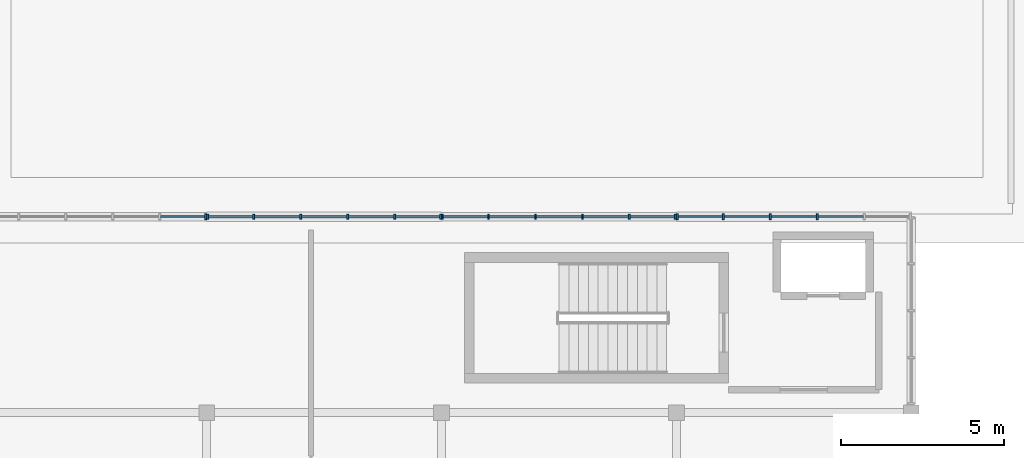
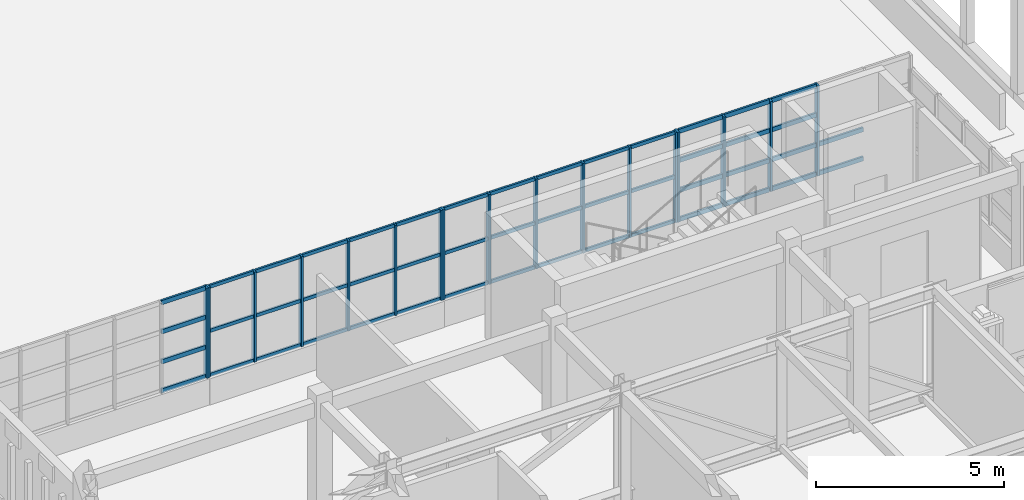
# One storey, part 15 of 79: 65 members, 4 elements without a shape of their own.
"""IFC4 building model written with IfcOpenShell, lengths in metres."""

from ifc_helpers import new_model, si_unit, direction, frame, origin, origin_2d, place, context, subcontext, project, spatial, rectangle, extrude, material, material_profile, profile_set, type_object, element, aggregate, save


model = new_model("IFC4")

# Units and contexts
model_context = context("Model", 3, precision=1e-05, world=origin(), true_north=direction((0.0, 1.0)))
body_context = subcontext(model_context, "Body", "Model", "MODEL_VIEW")
ifc_project = project(units=[si_unit("LENGTHUNIT", "METRE"), si_unit("AREAUNIT", "SQUARE_METRE"), si_unit("VOLUMEUNIT", "CUBIC_METRE"), si_unit("PLANEANGLEUNIT", "RADIAN"), si_unit("MASSUNIT", "GRAM", prefix="KILO")], contexts=[model_context])

# Site, building, storey
site_placement = place(None, origin())
site = spatial("IfcSite", under=ifc_project, at=site_placement, CompositionType="ELEMENT")
building_placement = place(site_placement, origin())
building = spatial("IfcBuilding", under=site, at=building_placement, Name="Nzembalo Square Collegiate School", CompositionType="ELEMENT")
storey_placement = place(building_placement, frame((0.0, 0.0, 9.52001953125)))
storey = spatial("IfcBuildingStorey", under=building, at=storey_placement, Name="L02", CompositionType="ELEMENT", Elevation=9.52001953125)

# Curtain wall, member
ifc_material_1 = material(Name="Aluminium 6060-T66", Category="aluminium")
curtain_wall_type_1 = type_object("IfcCurtainWallType", Name="CW-10", PredefinedType="USERDEFINED", material=ifc_material_1)
curtain_wall_1_placement = place(storey_placement, origin())
curtain_wall_1 = element("IfcCurtainWall", 1, at=curtain_wall_1_placement, inside=storey, type_object=curtain_wall_type_1, Name="Curtain wall CW-10 cw:L02:105", ObjectType="UNITISED", PredefinedType="USERDEFINED")
ifc_material_2 = material(Name="Aluminium 6060-T66", Category="aluminium")
ifc_material_profile_1 = material_profile(ifc_material_2, rectangle(XDim=0.06005859375, YDim=0.179931640625, at=origin_2d()), Name="ALU M60x180")
ifc_profile_set_1 = profile_set([ifc_material_profile_1], Name="Aluminium 6060-T66")
member_type_1 = type_object("IfcMemberType", Name="ML01", PredefinedType="MULLION", material=ifc_profile_set_1)
member_1_placement = place(storey_placement, frame((15.570068359375, 88.800048828125, 0.85009765625), z_axis=(0.0, 0.0, 1.0), x_axis=(1.0, 0.0, 0.0)))
member_1 = element("IfcMember", 2, at=member_1_placement, type_object=member_type_1, Name="ML01 mullion 6", PredefinedType="MULLION", context=body_context, shape_type="SweptSolid", body=[
    extrude(rectangle(XDim=0.06005859375, YDim=0.179931640625, at=origin_2d()), origin(), (0.0, 0.0, 1.0), 2.923828125),
])

# Curtain wall, members
ifc_material_3 = material(Name="Aluminium 6060-T66", Category="aluminium")
curtain_wall_type_2 = type_object("IfcCurtainWallType", Name="CW-09", PredefinedType="USERDEFINED", material=ifc_material_3)
curtain_wall_2_placement = place(storey_placement, origin())
curtain_wall_2 = element("IfcCurtainWall", 3, at=curtain_wall_2_placement, inside=storey, type_object=curtain_wall_type_2, Name="Curtain wall CW-09 cw:L02:108", ObjectType="UNITISED", PredefinedType="USERDEFINED")
member_2_placement = place(storey_placement, frame((30.030029296875, 88.800048828125, 0.85009765625), z_axis=(0.0, 0.0, 1.0), x_axis=(1.0, 0.0, 0.0)))
member_2 = element("IfcMember", 4, at=member_2_placement, type_object=member_type_1, Name="ML01 mullion 1", PredefinedType="MULLION", context=body_context, shape_type="SweptSolid", body=[
    extrude(rectangle(XDim=0.06005859375, YDim=0.179931640625, at=origin_2d()), origin(), (0.0, 0.0, 1.0), 2.923828125),
])
member_3_placement = place(storey_placement, frame((31.43994140625, 88.800048828125, 0.85009765625), z_axis=(0.0, 0.0, 1.0), x_axis=(1.0, 0.0, 0.0)))
member_3 = element("IfcMember", 5, at=member_3_placement, type_object=member_type_1, Name="ML01 mullion 2", PredefinedType="MULLION", context=body_context, shape_type="SweptSolid", body=[
    extrude(rectangle(XDim=0.06005859375, YDim=0.179931640625, at=origin_2d()), origin(), (0.0, 0.0, 1.0), 2.923828125),
])
member_4_placement = place(storey_placement, frame((32.8798828125, 88.800048828125, 0.85009765625), z_axis=(0.0, 0.0, 1.0), x_axis=(1.0, 0.0, 0.0)))
member_4 = element("IfcMember", 6, at=member_4_placement, type_object=member_type_1, Name="ML01 mullion 3", PredefinedType="MULLION", context=body_context, shape_type="SweptSolid", body=[
    extrude(rectangle(XDim=0.06005859375, YDim=0.179931640625, at=origin_2d()), origin(), (0.0, 0.0, 1.0), 2.923828125),
])
member_5_placement = place(storey_placement, frame((34.320068359375, 88.800048828125, 0.85009765625), z_axis=(0.0, 0.0, 1.0), x_axis=(1.0, 0.0, 0.0)))
member_5 = element("IfcMember", 7, at=member_5_placement, type_object=member_type_1, Name="ML01 mullion 4", PredefinedType="MULLION", context=body_context, shape_type="SweptSolid", body=[
    extrude(rectangle(XDim=0.06005859375, YDim=0.179931640625, at=origin_2d()), origin(), (0.0, 0.0, 1.0), 2.923828125),
])

ifc_material_4 = material(Name="Aluminium 6060-T66", Category="aluminium")
curtain_wall_type_3 = type_object("IfcCurtainWallType", Name="CW-11", PredefinedType="USERDEFINED", material=ifc_material_4)
curtain_wall_3_placement = place(storey_placement, origin())
curtain_wall_3 = element("IfcCurtainWall", 8, at=curtain_wall_3_placement, inside=storey, type_object=curtain_wall_type_3, Name="Curtain wall CW-11 cw:L02:106", ObjectType="LANCET", PredefinedType="USERDEFINED")
ifc_material_5 = material(Name="Aluminium 6060-T66", Category="aluminium")
ifc_material_profile_2 = material_profile(ifc_material_5, rectangle(XDim=0.06005859375, YDim=0.14990234375, at=origin_2d()), Name="ALU M60x150")
ifc_profile_set_2 = profile_set([ifc_material_profile_2], Name="Aluminium 6060-T66")
member_type_2 = type_object("IfcMemberType", Name="ML02", PredefinedType="MULLION", material=ifc_profile_set_2)
member_6_placement = place(storey_placement, frame((15.6298828125, 88.800048828125, 0.85009765625), z_axis=(0.0, 0.0, 1.0), x_axis=(1.0, 0.0, 0.0)))
member_6 = element("IfcMember", 9, at=member_6_placement, type_object=member_type_2, Name="ML02 mullion 1", PredefinedType="MULLION", context=body_context, shape_type="SweptSolid", body=[
    extrude(rectangle(XDim=0.06005859375, YDim=0.14990234375, at=origin_2d()), origin(), (0.0, 0.0, 1.0), 2.923828125),
])
member_7_placement = place(storey_placement, frame((17.0400390625, 88.800048828125, 0.85009765625), z_axis=(0.0, 0.0, 1.0), x_axis=(1.0, 0.0, 0.0)))
member_7 = element("IfcMember", 10, at=member_7_placement, type_object=member_type_2, Name="ML02 mullion 2", PredefinedType="MULLION", context=body_context, shape_type="SweptSolid", body=[
    extrude(rectangle(XDim=0.06005859375, YDim=0.14990234375, at=origin_2d()), origin(), (0.0, 0.0, 1.0), 2.923828125),
])
member_8_placement = place(storey_placement, frame((18.47998046875, 88.800048828125, 0.85009765625), z_axis=(0.0, 0.0, 1.0), x_axis=(1.0, 0.0, 0.0)))
member_8 = element("IfcMember", 11, at=member_8_placement, type_object=member_type_2, Name="ML02 mullion 3", PredefinedType="MULLION", context=body_context, shape_type="SweptSolid", body=[
    extrude(rectangle(XDim=0.06005859375, YDim=0.14990234375, at=origin_2d()), origin(), (0.0, 0.0, 1.0), 2.923828125),
])
member_9_placement = place(storey_placement, frame((19.919921875, 88.800048828125, 0.85009765625), z_axis=(0.0, 0.0, 1.0), x_axis=(1.0, 0.0, 0.0)))
member_9 = element("IfcMember", 12, at=member_9_placement, type_object=member_type_2, Name="ML02 mullion 4", PredefinedType="MULLION", context=body_context, shape_type="SweptSolid", body=[
    extrude(rectangle(XDim=0.06005859375, YDim=0.14990234375, at=origin_2d()), origin(), (0.0, 0.0, 1.0), 2.923828125),
])
member_10_placement = place(storey_placement, frame((21.360107421875, 88.800048828125, 0.85009765625), z_axis=(0.0, 0.0, 1.0), x_axis=(1.0, 0.0, 0.0)))
member_10 = element("IfcMember", 13, at=member_10_placement, type_object=member_type_2, Name="ML02 mullion 5", PredefinedType="MULLION", context=body_context, shape_type="SweptSolid", body=[
    extrude(rectangle(XDim=0.06005859375, YDim=0.14990234375, at=origin_2d()), origin(), (0.0, 0.0, 1.0), 2.923828125),
])
member_11_placement = place(storey_placement, frame((22.77001953125, 88.800048828125, 0.85009765625), z_axis=(0.0, 0.0, 1.0), x_axis=(1.0, 0.0, 0.0)))
member_11 = element("IfcMember", 14, at=member_11_placement, type_object=member_type_2, Name="ML02 mullion 6", PredefinedType="MULLION", context=body_context, shape_type="SweptSolid", body=[
    extrude(rectangle(XDim=0.06005859375, YDim=0.14990234375, at=origin_2d()), origin(), (0.0, 0.0, 1.0), 2.923828125),
])

ifc_material_6 = material(Name="Aluminium 6060-T66", Category="aluminium")
curtain_wall_type_4 = type_object("IfcCurtainWallType", Name="CW-12", PredefinedType="USERDEFINED", material=ifc_material_6)
curtain_wall_4_placement = place(storey_placement, origin())
curtain_wall_4 = element("IfcCurtainWall", 15, at=curtain_wall_4_placement, inside=storey, type_object=curtain_wall_type_4, Name="Curtain wall CW-12 cw:L02:107", ObjectType="LANCET", PredefinedType="USERDEFINED")
member_12_placement = place(storey_placement, frame((22.830078125, 88.800048828125, 0.85009765625), z_axis=(0.0, 0.0, 1.0), x_axis=(1.0, 0.0, 0.0)))
member_12 = element("IfcMember", 16, at=member_12_placement, type_object=member_type_2, Name="ML02 mullion 1", PredefinedType="MULLION", context=body_context, shape_type="SweptSolid", body=[
    extrude(rectangle(XDim=0.06005859375, YDim=0.14990234375, at=origin_2d()), origin(), (0.0, 0.0, 1.0), 2.923828125),
])
member_13_placement = place(storey_placement, frame((24.239990234375, 88.800048828125, 0.85009765625), z_axis=(0.0, 0.0, 1.0), x_axis=(1.0, 0.0, 0.0)))
member_13 = element("IfcMember", 17, at=member_13_placement, type_object=member_type_2, Name="ML02 mullion 2", PredefinedType="MULLION", context=body_context, shape_type="SweptSolid", body=[
    extrude(rectangle(XDim=0.06005859375, YDim=0.14990234375, at=origin_2d()), origin(), (0.0, 0.0, 1.0), 2.923828125),
])
member_14_placement = place(storey_placement, frame((25.679931640625, 88.800048828125, 0.85009765625), z_axis=(0.0, 0.0, 1.0), x_axis=(1.0, 0.0, 0.0)))
member_14 = element("IfcMember", 18, at=member_14_placement, type_object=member_type_2, Name="ML02 mullion 3", PredefinedType="MULLION", context=body_context, shape_type="SweptSolid", body=[
    extrude(rectangle(XDim=0.06005859375, YDim=0.14990234375, at=origin_2d()), origin(), (0.0, 0.0, 1.0), 2.923828125),
])
member_15_placement = place(storey_placement, frame((27.1201171875, 88.800048828125, 0.85009765625), z_axis=(0.0, 0.0, 1.0), x_axis=(1.0, 0.0, 0.0)))
member_15 = element("IfcMember", 19, at=member_15_placement, type_object=member_type_2, Name="ML02 mullion 4", PredefinedType="MULLION", context=body_context, shape_type="SweptSolid", body=[
    extrude(rectangle(XDim=0.06005859375, YDim=0.14990234375, at=origin_2d()), origin(), (0.0, 0.0, 1.0), 2.923828125),
])
member_16_placement = place(storey_placement, frame((28.56005859375, 88.800048828125, 0.85009765625), z_axis=(0.0, 0.0, 1.0), x_axis=(1.0, 0.0, 0.0)))
member_16 = element("IfcMember", 20, at=member_16_placement, type_object=member_type_2, Name="ML02 mullion 5", PredefinedType="MULLION", context=body_context, shape_type="SweptSolid", body=[
    extrude(rectangle(XDim=0.06005859375, YDim=0.14990234375, at=origin_2d()), origin(), (0.0, 0.0, 1.0), 2.923828125),
])
member_17_placement = place(storey_placement, frame((29.969970703125, 88.800048828125, 0.85009765625), z_axis=(0.0, 0.0, 1.0), x_axis=(1.0, 0.0, 0.0)))
member_17 = element("IfcMember", 21, at=member_17_placement, type_object=member_type_2, Name="ML02 mullion 6", PredefinedType="MULLION", context=body_context, shape_type="SweptSolid", body=[
    extrude(rectangle(XDim=0.06005859375, YDim=0.14990234375, at=origin_2d()), origin(), (0.0, 0.0, 1.0), 2.923828125),
])

# Member
ifc_material_7 = material(Name="Aluminium 6060-T66", Category="aluminium")
ifc_material_profile_3 = material_profile(ifc_material_7, rectangle(XDim=0.06005859375, YDim=0.139892578125, at=origin_2d()), Name="ALU T60x140")
ifc_profile_set_3 = profile_set([ifc_material_profile_3], Name="Aluminium 6060-T66")
member_type_3 = type_object("IfcMemberType", Name="TR01", PredefinedType="USERDEFINED", material=ifc_profile_set_3)
member_18_placement = place(storey_placement, frame((14.18994140625, 88.800048828125, 0.8798828125), z_axis=(1.0, 0.0, 0.0), x_axis=(0.0, 1.0, 0.0)))
member_18 = element("IfcMember", 22, at=member_18_placement, type_object=member_type_3, Name="TR01 transom 1-5", ObjectType="TRANSOM", PredefinedType="USERDEFINED", context=body_context, shape_type="SweptSolid", body=[
    extrude(rectangle(XDim=0.06005859375, YDim=0.139892578125, at=origin_2d()), origin(), (0.0, 0.0, 1.0), 1.35009765625),
])

member_19_placement = place(storey_placement, frame((14.18994140625, 88.800048828125, 1.82470703125), z_axis=(1.0, 0.0, 0.0), x_axis=(0.0, 1.0, 0.0)))
member_19 = element("IfcMember", 23, at=member_19_placement, type_object=member_type_3, Name="TR01 transom 2-5", ObjectType="TRANSOM", PredefinedType="USERDEFINED", context=body_context, shape_type="SweptSolid", body=[
    extrude(rectangle(XDim=0.06005859375, YDim=0.139892578125, at=origin_2d()), origin(), (0.0, 0.0, 1.0), 1.35009765625),
])

member_20_placement = place(storey_placement, frame((14.18994140625, 88.800048828125, 2.79931640625), z_axis=(1.0, 0.0, 0.0), x_axis=(0.0, 1.0, 0.0)))
member_20 = element("IfcMember", 24, at=member_20_placement, type_object=member_type_3, Name="TR01 transom 3-5", ObjectType="TRANSOM", PredefinedType="USERDEFINED", context=body_context, shape_type="SweptSolid", body=[
    extrude(rectangle(XDim=0.06005859375, YDim=0.139892578125, at=origin_2d()), origin(), (0.0, 0.0, 1.0), 1.35009765625),
])

member_21_placement = place(storey_placement, frame((14.18994140625, 88.800048828125, 3.743896484375), z_axis=(1.0, 0.0, 0.0), x_axis=(0.0, 1.0, 0.0)))
member_21 = element("IfcMember", 25, at=member_21_placement, type_object=member_type_3, Name="TR01 transom 4-5", ObjectType="TRANSOM", PredefinedType="USERDEFINED", context=body_context, shape_type="SweptSolid", body=[
    extrude(rectangle(XDim=0.06005859375, YDim=0.139892578125, at=origin_2d()), origin(), (0.0, 0.0, 1.0), 1.35009765625),
])

aggregate(curtain_wall_1, [member_1, member_18, member_19, member_20, member_21])

member_22_placement = place(storey_placement, frame((30.06005859375, 88.800048828125, 0.8798828125), z_axis=(1.0, 0.0, 0.0), x_axis=(0.0, 1.0, 0.0)))
member_22 = element("IfcMember", 26, at=member_22_placement, type_object=member_type_3, Name="TR01 transom 1-1", ObjectType="TRANSOM", PredefinedType="USERDEFINED", context=body_context, shape_type="SweptSolid", body=[
    extrude(rectangle(XDim=0.06005859375, YDim=0.139892578125, at=origin_2d()), origin(), (0.0, 0.0, 1.0), 1.349853515625),
])

member_23_placement = place(storey_placement, frame((31.469970703125, 88.800048828125, 0.8798828125), z_axis=(1.0, 0.0, 0.0), x_axis=(0.0, 1.0, 0.0)))
member_23 = element("IfcMember", 27, at=member_23_placement, type_object=member_type_3, Name="TR01 transom 1-2", ObjectType="TRANSOM", PredefinedType="USERDEFINED", context=body_context, shape_type="SweptSolid", body=[
    extrude(rectangle(XDim=0.06005859375, YDim=0.139892578125, at=origin_2d()), origin(), (0.0, 0.0, 1.0), 1.380126953125),
])

member_24_placement = place(storey_placement, frame((32.909912109375, 88.800048828125, 0.8798828125), z_axis=(1.0, 0.0, 0.0), x_axis=(0.0, 1.0, 0.0)))
member_24 = element("IfcMember", 28, at=member_24_placement, type_object=member_type_3, Name="TR01 transom 1-3", ObjectType="TRANSOM", PredefinedType="USERDEFINED", context=body_context, shape_type="SweptSolid", body=[
    extrude(rectangle(XDim=0.06005859375, YDim=0.139892578125, at=origin_2d()), origin(), (0.0, 0.0, 1.0), 1.380126953125),
])

member_25_placement = place(storey_placement, frame((34.35009765625, 88.800048828125, 0.8798828125), z_axis=(1.0, 0.0, 0.0), x_axis=(0.0, 1.0, 0.0)))
member_25 = element("IfcMember", 29, at=member_25_placement, type_object=member_type_3, Name="TR01 transom 1-4", ObjectType="TRANSOM", PredefinedType="USERDEFINED", context=body_context, shape_type="SweptSolid", body=[
    extrude(rectangle(XDim=0.06005859375, YDim=0.139892578125, at=origin_2d()), origin(), (0.0, 0.0, 1.0), 1.3798828125),
])

member_26_placement = place(storey_placement, frame((30.06005859375, 88.800048828125, 1.82470703125), z_axis=(1.0, 0.0, 0.0), x_axis=(0.0, 1.0, 0.0)))
member_26 = element("IfcMember", 30, at=member_26_placement, type_object=member_type_3, Name="TR01 transom 2-1", ObjectType="TRANSOM", PredefinedType="USERDEFINED", context=body_context, shape_type="SweptSolid", body=[
    extrude(rectangle(XDim=0.06005859375, YDim=0.139892578125, at=origin_2d()), origin(), (0.0, 0.0, 1.0), 1.349853515625),
])

member_27_placement = place(storey_placement, frame((31.469970703125, 88.800048828125, 1.82470703125), z_axis=(1.0, 0.0, 0.0), x_axis=(0.0, 1.0, 0.0)))
member_27 = element("IfcMember", 31, at=member_27_placement, type_object=member_type_3, Name="TR01 transom 2-2", ObjectType="TRANSOM", PredefinedType="USERDEFINED", context=body_context, shape_type="SweptSolid", body=[
    extrude(rectangle(XDim=0.06005859375, YDim=0.139892578125, at=origin_2d()), origin(), (0.0, 0.0, 1.0), 1.380126953125),
])

member_28_placement = place(storey_placement, frame((32.909912109375, 88.800048828125, 1.82470703125), z_axis=(1.0, 0.0, 0.0), x_axis=(0.0, 1.0, 0.0)))
member_28 = element("IfcMember", 32, at=member_28_placement, type_object=member_type_3, Name="TR01 transom 2-3", ObjectType="TRANSOM", PredefinedType="USERDEFINED", context=body_context, shape_type="SweptSolid", body=[
    extrude(rectangle(XDim=0.06005859375, YDim=0.139892578125, at=origin_2d()), origin(), (0.0, 0.0, 1.0), 1.380126953125),
])

member_29_placement = place(storey_placement, frame((34.35009765625, 88.800048828125, 1.82470703125), z_axis=(1.0, 0.0, 0.0), x_axis=(0.0, 1.0, 0.0)))
member_29 = element("IfcMember", 33, at=member_29_placement, type_object=member_type_3, Name="TR01 transom 2-4", ObjectType="TRANSOM", PredefinedType="USERDEFINED", context=body_context, shape_type="SweptSolid", body=[
    extrude(rectangle(XDim=0.06005859375, YDim=0.139892578125, at=origin_2d()), origin(), (0.0, 0.0, 1.0), 1.3798828125),
])

member_30_placement = place(storey_placement, frame((30.06005859375, 88.800048828125, 2.79931640625), z_axis=(1.0, 0.0, 0.0), x_axis=(0.0, 1.0, 0.0)))
member_30 = element("IfcMember", 34, at=member_30_placement, type_object=member_type_3, Name="TR01 transom 3-1", ObjectType="TRANSOM", PredefinedType="USERDEFINED", context=body_context, shape_type="SweptSolid", body=[
    extrude(rectangle(XDim=0.06005859375, YDim=0.139892578125, at=origin_2d()), origin(), (0.0, 0.0, 1.0), 1.349853515625),
])

member_31_placement = place(storey_placement, frame((31.469970703125, 88.800048828125, 2.79931640625), z_axis=(1.0, 0.0, 0.0), x_axis=(0.0, 1.0, 0.0)))
member_31 = element("IfcMember", 35, at=member_31_placement, type_object=member_type_3, Name="TR01 transom 3-2", ObjectType="TRANSOM", PredefinedType="USERDEFINED", context=body_context, shape_type="SweptSolid", body=[
    extrude(rectangle(XDim=0.06005859375, YDim=0.139892578125, at=origin_2d()), origin(), (0.0, 0.0, 1.0), 1.380126953125),
])

member_32_placement = place(storey_placement, frame((32.909912109375, 88.800048828125, 2.79931640625), z_axis=(1.0, 0.0, 0.0), x_axis=(0.0, 1.0, 0.0)))
member_32 = element("IfcMember", 36, at=member_32_placement, type_object=member_type_3, Name="TR01 transom 3-3", ObjectType="TRANSOM", PredefinedType="USERDEFINED", context=body_context, shape_type="SweptSolid", body=[
    extrude(rectangle(XDim=0.06005859375, YDim=0.139892578125, at=origin_2d()), origin(), (0.0, 0.0, 1.0), 1.380126953125),
])

member_33_placement = place(storey_placement, frame((30.06005859375, 88.800048828125, 3.743896484375), z_axis=(1.0, 0.0, 0.0), x_axis=(0.0, 1.0, 0.0)))
member_33 = element("IfcMember", 37, at=member_33_placement, type_object=member_type_3, Name="TR01 transom 4-1", ObjectType="TRANSOM", PredefinedType="USERDEFINED", context=body_context, shape_type="SweptSolid", body=[
    extrude(rectangle(XDim=0.06005859375, YDim=0.139892578125, at=origin_2d()), origin(), (0.0, 0.0, 1.0), 1.349853515625),
])

member_34_placement = place(storey_placement, frame((31.469970703125, 88.800048828125, 3.743896484375), z_axis=(1.0, 0.0, 0.0), x_axis=(0.0, 1.0, 0.0)))
member_34 = element("IfcMember", 38, at=member_34_placement, type_object=member_type_3, Name="TR01 transom 4-2", ObjectType="TRANSOM", PredefinedType="USERDEFINED", context=body_context, shape_type="SweptSolid", body=[
    extrude(rectangle(XDim=0.06005859375, YDim=0.139892578125, at=origin_2d()), origin(), (0.0, 0.0, 1.0), 1.380126953125),
])

member_35_placement = place(storey_placement, frame((32.909912109375, 88.800048828125, 3.743896484375), z_axis=(1.0, 0.0, 0.0), x_axis=(0.0, 1.0, 0.0)))
member_35 = element("IfcMember", 39, at=member_35_placement, type_object=member_type_3, Name="TR01 transom 4-3", ObjectType="TRANSOM", PredefinedType="USERDEFINED", context=body_context, shape_type="SweptSolid", body=[
    extrude(rectangle(XDim=0.06005859375, YDim=0.139892578125, at=origin_2d()), origin(), (0.0, 0.0, 1.0), 1.380126953125),
])

aggregate(curtain_wall_2, [member_2, member_3, member_4, member_5, member_22, member_23, member_24, member_25, member_26, member_27, member_28, member_29, member_30, member_31, member_32, member_33, member_34, member_35])

ifc_material_8 = material(Name="Aluminium 6060-T66", Category="aluminium")
ifc_material_profile_4 = material_profile(ifc_material_8, rectangle(XDim=0.06005859375, YDim=0.110107421875, at=origin_2d()), Name="ALU T60x110")
ifc_profile_set_4 = profile_set([ifc_material_profile_4], Name="Aluminium 6060-T66")
member_type_4 = type_object("IfcMemberType", Name="TR02", PredefinedType="USERDEFINED", material=ifc_profile_set_4)
member_36_placement = place(storey_placement, frame((15.659912109375, 88.800048828125, 0.8798828125), z_axis=(1.0, 0.0, 0.0), x_axis=(0.0, 1.0, 0.0)))
member_36 = element("IfcMember", 40, at=member_36_placement, type_object=member_type_4, Name="TR02 transom 1-1", ObjectType="TRANSOM", PredefinedType="USERDEFINED", context=body_context, shape_type="SweptSolid", body=[
    extrude(rectangle(XDim=0.06005859375, YDim=0.110107421875, at=origin_2d()), origin(), (0.0, 0.0, 1.0), 1.35009765625),
])

member_37_placement = place(storey_placement, frame((17.070068359375, 88.800048828125, 0.8798828125), z_axis=(1.0, 0.0, 0.0), x_axis=(0.0, 1.0, 0.0)))
member_37 = element("IfcMember", 41, at=member_37_placement, type_object=member_type_4, Name="TR02 transom 1-2", ObjectType="TRANSOM", PredefinedType="USERDEFINED", context=body_context, shape_type="SweptSolid", body=[
    extrude(rectangle(XDim=0.06005859375, YDim=0.110107421875, at=origin_2d()), origin(), (0.0, 0.0, 1.0), 1.3798828125),
])

member_38_placement = place(storey_placement, frame((18.510009765625, 88.800048828125, 0.8798828125), z_axis=(1.0, 0.0, 0.0), x_axis=(0.0, 1.0, 0.0)))
member_38 = element("IfcMember", 42, at=member_38_placement, type_object=member_type_4, Name="TR02 transom 1-3", ObjectType="TRANSOM", PredefinedType="USERDEFINED", context=body_context, shape_type="SweptSolid", body=[
    extrude(rectangle(XDim=0.06005859375, YDim=0.110107421875, at=origin_2d()), origin(), (0.0, 0.0, 1.0), 1.3798828125),
])

member_39_placement = place(storey_placement, frame((19.949951171875, 88.800048828125, 0.8798828125), z_axis=(1.0, 0.0, 0.0), x_axis=(0.0, 1.0, 0.0)))
member_39 = element("IfcMember", 43, at=member_39_placement, type_object=member_type_4, Name="TR02 transom 1-4", ObjectType="TRANSOM", PredefinedType="USERDEFINED", context=body_context, shape_type="SweptSolid", body=[
    extrude(rectangle(XDim=0.06005859375, YDim=0.110107421875, at=origin_2d()), origin(), (0.0, 0.0, 1.0), 1.380126953125),
])

member_40_placement = place(storey_placement, frame((21.389892578125, 88.800048828125, 0.8798828125), z_axis=(1.0, 0.0, 0.0), x_axis=(0.0, 1.0, 0.0)))
member_40 = element("IfcMember", 44, at=member_40_placement, type_object=member_type_4, Name="TR02 transom 1-5", ObjectType="TRANSOM", PredefinedType="USERDEFINED", context=body_context, shape_type="SweptSolid", body=[
    extrude(rectangle(XDim=0.06005859375, YDim=0.110107421875, at=origin_2d()), origin(), (0.0, 0.0, 1.0), 1.35009765625),
])

member_41_placement = place(storey_placement, frame((15.659912109375, 88.800048828125, 2.31201171875), z_axis=(1.0, 0.0, 0.0), x_axis=(0.0, 1.0, 0.0)))
member_41 = element("IfcMember", 45, at=member_41_placement, type_object=member_type_4, Name="TR02 transom 2-1", ObjectType="TRANSOM", PredefinedType="USERDEFINED", context=body_context, shape_type="SweptSolid", body=[
    extrude(rectangle(XDim=0.06005859375, YDim=0.110107421875, at=origin_2d()), origin(), (0.0, 0.0, 1.0), 1.35009765625),
])

member_42_placement = place(storey_placement, frame((17.070068359375, 88.800048828125, 2.31201171875), z_axis=(1.0, 0.0, 0.0), x_axis=(0.0, 1.0, 0.0)))
member_42 = element("IfcMember", 46, at=member_42_placement, type_object=member_type_4, Name="TR02 transom 2-2", ObjectType="TRANSOM", PredefinedType="USERDEFINED", context=body_context, shape_type="SweptSolid", body=[
    extrude(rectangle(XDim=0.06005859375, YDim=0.110107421875, at=origin_2d()), origin(), (0.0, 0.0, 1.0), 1.3798828125),
])

member_43_placement = place(storey_placement, frame((18.510009765625, 88.800048828125, 2.31201171875), z_axis=(1.0, 0.0, 0.0), x_axis=(0.0, 1.0, 0.0)))
member_43 = element("IfcMember", 47, at=member_43_placement, type_object=member_type_4, Name="TR02 transom 2-3", ObjectType="TRANSOM", PredefinedType="USERDEFINED", context=body_context, shape_type="SweptSolid", body=[
    extrude(rectangle(XDim=0.06005859375, YDim=0.110107421875, at=origin_2d()), origin(), (0.0, 0.0, 1.0), 1.3798828125),
])

member_44_placement = place(storey_placement, frame((19.949951171875, 88.800048828125, 2.31201171875), z_axis=(1.0, 0.0, 0.0), x_axis=(0.0, 1.0, 0.0)))
member_44 = element("IfcMember", 48, at=member_44_placement, type_object=member_type_4, Name="TR02 transom 2-4", ObjectType="TRANSOM", PredefinedType="USERDEFINED", context=body_context, shape_type="SweptSolid", body=[
    extrude(rectangle(XDim=0.06005859375, YDim=0.110107421875, at=origin_2d()), origin(), (0.0, 0.0, 1.0), 1.380126953125),
])

member_45_placement = place(storey_placement, frame((21.389892578125, 88.800048828125, 2.31201171875), z_axis=(1.0, 0.0, 0.0), x_axis=(0.0, 1.0, 0.0)))
member_45 = element("IfcMember", 49, at=member_45_placement, type_object=member_type_4, Name="TR02 transom 2-5", ObjectType="TRANSOM", PredefinedType="USERDEFINED", context=body_context, shape_type="SweptSolid", body=[
    extrude(rectangle(XDim=0.06005859375, YDim=0.110107421875, at=origin_2d()), origin(), (0.0, 0.0, 1.0), 1.35009765625),
])

member_46_placement = place(storey_placement, frame((15.659912109375, 88.800048828125, 3.743896484375), z_axis=(1.0, 0.0, 0.0), x_axis=(0.0, 1.0, 0.0)))
member_46 = element("IfcMember", 50, at=member_46_placement, type_object=member_type_4, Name="TR02 transom 3-1", ObjectType="TRANSOM", PredefinedType="USERDEFINED", context=body_context, shape_type="SweptSolid", body=[
    extrude(rectangle(XDim=0.06005859375, YDim=0.110107421875, at=origin_2d()), origin(), (0.0, 0.0, 1.0), 1.35009765625),
])

member_47_placement = place(storey_placement, frame((17.070068359375, 88.800048828125, 3.743896484375), z_axis=(1.0, 0.0, 0.0), x_axis=(0.0, 1.0, 0.0)))
member_47 = element("IfcMember", 51, at=member_47_placement, type_object=member_type_4, Name="TR02 transom 3-2", ObjectType="TRANSOM", PredefinedType="USERDEFINED", context=body_context, shape_type="SweptSolid", body=[
    extrude(rectangle(XDim=0.06005859375, YDim=0.110107421875, at=origin_2d()), origin(), (0.0, 0.0, 1.0), 1.3798828125),
])

member_48_placement = place(storey_placement, frame((18.510009765625, 88.800048828125, 3.743896484375), z_axis=(1.0, 0.0, 0.0), x_axis=(0.0, 1.0, 0.0)))
member_48 = element("IfcMember", 52, at=member_48_placement, type_object=member_type_4, Name="TR02 transom 3-3", ObjectType="TRANSOM", PredefinedType="USERDEFINED", context=body_context, shape_type="SweptSolid", body=[
    extrude(rectangle(XDim=0.06005859375, YDim=0.110107421875, at=origin_2d()), origin(), (0.0, 0.0, 1.0), 1.3798828125),
])

member_49_placement = place(storey_placement, frame((19.949951171875, 88.800048828125, 3.743896484375), z_axis=(1.0, 0.0, 0.0), x_axis=(0.0, 1.0, 0.0)))
member_49 = element("IfcMember", 53, at=member_49_placement, type_object=member_type_4, Name="TR02 transom 3-4", ObjectType="TRANSOM", PredefinedType="USERDEFINED", context=body_context, shape_type="SweptSolid", body=[
    extrude(rectangle(XDim=0.06005859375, YDim=0.110107421875, at=origin_2d()), origin(), (0.0, 0.0, 1.0), 1.380126953125),
])

member_50_placement = place(storey_placement, frame((21.389892578125, 88.800048828125, 3.743896484375), z_axis=(1.0, 0.0, 0.0), x_axis=(0.0, 1.0, 0.0)))
member_50 = element("IfcMember", 54, at=member_50_placement, type_object=member_type_4, Name="TR02 transom 3-5", ObjectType="TRANSOM", PredefinedType="USERDEFINED", context=body_context, shape_type="SweptSolid", body=[
    extrude(rectangle(XDim=0.06005859375, YDim=0.110107421875, at=origin_2d()), origin(), (0.0, 0.0, 1.0), 1.35009765625),
])

aggregate(curtain_wall_3, [member_6, member_7, member_8, member_9, member_10, member_11, member_36, member_37, member_38, member_39, member_40, member_41, member_42, member_43, member_44, member_45, member_46, member_47, member_48, member_49, member_50])

member_51_placement = place(storey_placement, frame((22.860107421875, 88.800048828125, 0.8798828125), z_axis=(1.0, 0.0, 0.0), x_axis=(0.0, 1.0, 0.0)))
member_51 = element("IfcMember", 55, at=member_51_placement, type_object=member_type_4, Name="TR02 transom 1-1", ObjectType="TRANSOM", PredefinedType="USERDEFINED", context=body_context, shape_type="SweptSolid", body=[
    extrude(rectangle(XDim=0.06005859375, YDim=0.110107421875, at=origin_2d()), origin(), (0.0, 0.0, 1.0), 1.349853515625),
])

member_52_placement = place(storey_placement, frame((24.27001953125, 88.800048828125, 0.8798828125), z_axis=(1.0, 0.0, 0.0), x_axis=(0.0, 1.0, 0.0)))
member_52 = element("IfcMember", 56, at=member_52_placement, type_object=member_type_4, Name="TR02 transom 1-2", ObjectType="TRANSOM", PredefinedType="USERDEFINED", context=body_context, shape_type="SweptSolid", body=[
    extrude(rectangle(XDim=0.06005859375, YDim=0.110107421875, at=origin_2d()), origin(), (0.0, 0.0, 1.0), 1.3798828125),
])

member_53_placement = place(storey_placement, frame((25.7099609375, 88.800048828125, 0.8798828125), z_axis=(1.0, 0.0, 0.0), x_axis=(0.0, 1.0, 0.0)))
member_53 = element("IfcMember", 57, at=member_53_placement, type_object=member_type_4, Name="TR02 transom 1-3", ObjectType="TRANSOM", PredefinedType="USERDEFINED", context=body_context, shape_type="SweptSolid", body=[
    extrude(rectangle(XDim=0.06005859375, YDim=0.110107421875, at=origin_2d()), origin(), (0.0, 0.0, 1.0), 1.380126953125),
])

member_54_placement = place(storey_placement, frame((27.14990234375, 88.800048828125, 0.8798828125), z_axis=(1.0, 0.0, 0.0), x_axis=(0.0, 1.0, 0.0)))
member_54 = element("IfcMember", 58, at=member_54_placement, type_object=member_type_4, Name="TR02 transom 1-4", ObjectType="TRANSOM", PredefinedType="USERDEFINED", context=body_context, shape_type="SweptSolid", body=[
    extrude(rectangle(XDim=0.06005859375, YDim=0.110107421875, at=origin_2d()), origin(), (0.0, 0.0, 1.0), 1.380126953125),
])

member_55_placement = place(storey_placement, frame((28.590087890625, 88.800048828125, 0.8798828125), z_axis=(1.0, 0.0, 0.0), x_axis=(0.0, 1.0, 0.0)))
member_55 = element("IfcMember", 59, at=member_55_placement, type_object=member_type_4, Name="TR02 transom 1-5", ObjectType="TRANSOM", PredefinedType="USERDEFINED", context=body_context, shape_type="SweptSolid", body=[
    extrude(rectangle(XDim=0.06005859375, YDim=0.110107421875, at=origin_2d()), origin(), (0.0, 0.0, 1.0), 1.349853515625),
])

member_56_placement = place(storey_placement, frame((22.860107421875, 88.800048828125, 2.31201171875), z_axis=(1.0, 0.0, 0.0), x_axis=(0.0, 1.0, 0.0)))
member_56 = element("IfcMember", 60, at=member_56_placement, type_object=member_type_4, Name="TR02 transom 2-1", ObjectType="TRANSOM", PredefinedType="USERDEFINED", context=body_context, shape_type="SweptSolid", body=[
    extrude(rectangle(XDim=0.06005859375, YDim=0.110107421875, at=origin_2d()), origin(), (0.0, 0.0, 1.0), 1.349853515625),
])

member_57_placement = place(storey_placement, frame((24.27001953125, 88.800048828125, 2.31201171875), z_axis=(1.0, 0.0, 0.0), x_axis=(0.0, 1.0, 0.0)))
member_57 = element("IfcMember", 61, at=member_57_placement, type_object=member_type_4, Name="TR02 transom 2-2", ObjectType="TRANSOM", PredefinedType="USERDEFINED", context=body_context, shape_type="SweptSolid", body=[
    extrude(rectangle(XDim=0.06005859375, YDim=0.110107421875, at=origin_2d()), origin(), (0.0, 0.0, 1.0), 1.3798828125),
])

member_58_placement = place(storey_placement, frame((25.7099609375, 88.800048828125, 2.31201171875), z_axis=(1.0, 0.0, 0.0), x_axis=(0.0, 1.0, 0.0)))
member_58 = element("IfcMember", 62, at=member_58_placement, type_object=member_type_4, Name="TR02 transom 2-3", ObjectType="TRANSOM", PredefinedType="USERDEFINED", context=body_context, shape_type="SweptSolid", body=[
    extrude(rectangle(XDim=0.06005859375, YDim=0.110107421875, at=origin_2d()), origin(), (0.0, 0.0, 1.0), 1.380126953125),
])

member_59_placement = place(storey_placement, frame((27.14990234375, 88.800048828125, 2.31201171875), z_axis=(1.0, 0.0, 0.0), x_axis=(0.0, 1.0, 0.0)))
member_59 = element("IfcMember", 63, at=member_59_placement, type_object=member_type_4, Name="TR02 transom 2-4", ObjectType="TRANSOM", PredefinedType="USERDEFINED", context=body_context, shape_type="SweptSolid", body=[
    extrude(rectangle(XDim=0.06005859375, YDim=0.110107421875, at=origin_2d()), origin(), (0.0, 0.0, 1.0), 1.380126953125),
])

member_60_placement = place(storey_placement, frame((28.590087890625, 88.800048828125, 2.31201171875), z_axis=(1.0, 0.0, 0.0), x_axis=(0.0, 1.0, 0.0)))
member_60 = element("IfcMember", 64, at=member_60_placement, type_object=member_type_4, Name="TR02 transom 2-5", ObjectType="TRANSOM", PredefinedType="USERDEFINED", context=body_context, shape_type="SweptSolid", body=[
    extrude(rectangle(XDim=0.06005859375, YDim=0.110107421875, at=origin_2d()), origin(), (0.0, 0.0, 1.0), 1.349853515625),
])

member_61_placement = place(storey_placement, frame((22.860107421875, 88.800048828125, 3.743896484375), z_axis=(1.0, 0.0, 0.0), x_axis=(0.0, 1.0, 0.0)))
member_61 = element("IfcMember", 65, at=member_61_placement, type_object=member_type_4, Name="TR02 transom 3-1", ObjectType="TRANSOM", PredefinedType="USERDEFINED", context=body_context, shape_type="SweptSolid", body=[
    extrude(rectangle(XDim=0.06005859375, YDim=0.110107421875, at=origin_2d()), origin(), (0.0, 0.0, 1.0), 1.349853515625),
])

member_62_placement = place(storey_placement, frame((24.27001953125, 88.800048828125, 3.743896484375), z_axis=(1.0, 0.0, 0.0), x_axis=(0.0, 1.0, 0.0)))
member_62 = element("IfcMember", 66, at=member_62_placement, type_object=member_type_4, Name="TR02 transom 3-2", ObjectType="TRANSOM", PredefinedType="USERDEFINED", context=body_context, shape_type="SweptSolid", body=[
    extrude(rectangle(XDim=0.06005859375, YDim=0.110107421875, at=origin_2d()), origin(), (0.0, 0.0, 1.0), 1.3798828125),
])

member_63_placement = place(storey_placement, frame((25.7099609375, 88.800048828125, 3.743896484375), z_axis=(1.0, 0.0, 0.0), x_axis=(0.0, 1.0, 0.0)))
member_63 = element("IfcMember", 67, at=member_63_placement, type_object=member_type_4, Name="TR02 transom 3-3", ObjectType="TRANSOM", PredefinedType="USERDEFINED", context=body_context, shape_type="SweptSolid", body=[
    extrude(rectangle(XDim=0.06005859375, YDim=0.110107421875, at=origin_2d()), origin(), (0.0, 0.0, 1.0), 1.380126953125),
])

member_64_placement = place(storey_placement, frame((27.14990234375, 88.800048828125, 3.743896484375), z_axis=(1.0, 0.0, 0.0), x_axis=(0.0, 1.0, 0.0)))
member_64 = element("IfcMember", 68, at=member_64_placement, type_object=member_type_4, Name="TR02 transom 3-4", ObjectType="TRANSOM", PredefinedType="USERDEFINED", context=body_context, shape_type="SweptSolid", body=[
    extrude(rectangle(XDim=0.06005859375, YDim=0.110107421875, at=origin_2d()), origin(), (0.0, 0.0, 1.0), 1.380126953125),
])

member_65_placement = place(storey_placement, frame((28.590087890625, 88.800048828125, 3.743896484375), z_axis=(1.0, 0.0, 0.0), x_axis=(0.0, 1.0, 0.0)))
member_65 = element("IfcMember", 69, at=member_65_placement, type_object=member_type_4, Name="TR02 transom 3-5", ObjectType="TRANSOM", PredefinedType="USERDEFINED", context=body_context, shape_type="SweptSolid", body=[
    extrude(rectangle(XDim=0.06005859375, YDim=0.110107421875, at=origin_2d()), origin(), (0.0, 0.0, 1.0), 1.349853515625),
])

aggregate(curtain_wall_4, [member_12, member_13, member_14, member_15, member_16, member_17, member_51, member_52, member_53, member_54, member_55, member_56, member_57, member_58, member_59, member_60, member_61, member_62, member_63, member_64, member_65])

save(model, "model.ifc")
